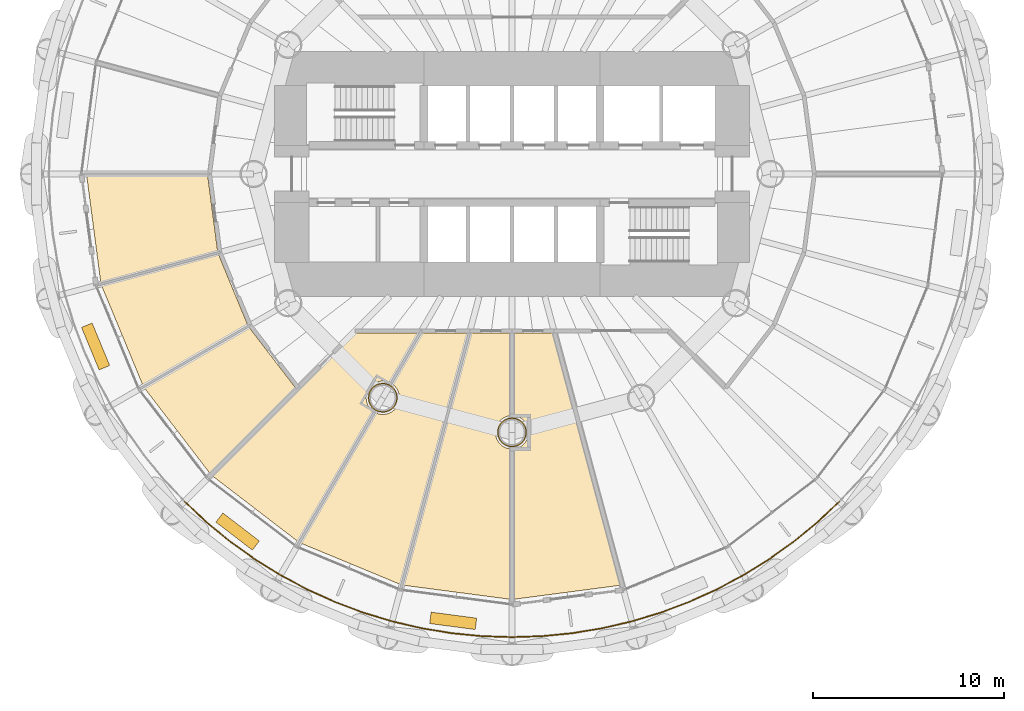
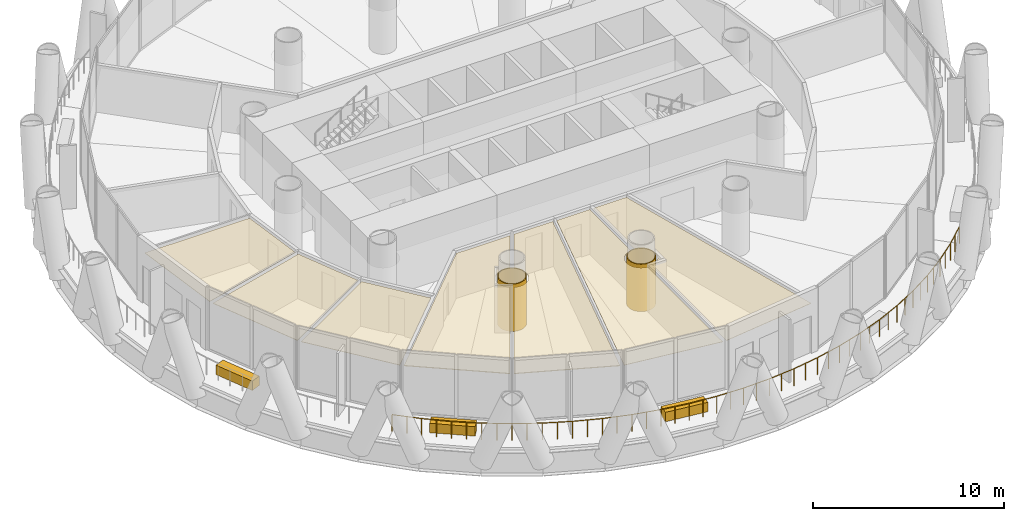
# One storey, part 13 of 16: 12 coverings, 1 railing.
"""IFC4 building model written with IfcOpenShell, lengths in metres."""

from ifc_helpers import new_model, si_unit, direction, frame, origin, origin_2d, place, context, subcontext, project, spatial, polyline, rectangle, circle, outline, extrude, material, layer, layer_set, type_object, element, save


model = new_model("IFC4")

# Units and contexts
model_context = context("Model", 3, precision=1e-05, world=origin(), true_north=direction((0.0, 1.0)))
body_context = subcontext(model_context, "Body", "Model", "MODEL_VIEW")
ifc_project = project(units=[si_unit("LENGTHUNIT", "METRE"), si_unit("AREAUNIT", "SQUARE_METRE"), si_unit("VOLUMEUNIT", "CUBIC_METRE"), si_unit("PLANEANGLEUNIT", "RADIAN"), si_unit("MASSUNIT", "GRAM", prefix="KILO")], contexts=[model_context])

# Site, building, storey
site_placement = place(None, origin())
site = spatial("IfcSite", under=ifc_project, at=site_placement, CompositionType="ELEMENT")
building_placement = place(site_placement, origin())
building = spatial("IfcBuilding", under=site, at=building_placement, Name="Qaws Media Tower", CompositionType="ELEMENT")
storey_placement = place(building_placement, frame((0.0, 0.0, 55.39990234375)))
storey = spatial("IfcBuildingStorey", under=building, at=storey_placement, Name="L11", CompositionType="ELEMENT", Elevation=55.39990234375)

# Coverings
ifc_material_1 = material(Name="40 perforated acoustic panels with mineral wool backing, suspended", Category="mineral fibre")
ifc_layer_1 = layer(ifc_material_1, 0.0400390625)
ifc_layer_set_1 = layer_set([ifc_layer_1], Name="Acoustic panel ceiling 40")
covering_type_1 = type_object("IfcCoveringType", Name="Acoustic panel ceiling 40", PredefinedType="CEILING", material=ifc_layer_set_1)
covering_1_placement = place(storey_placement, frame((0.0, 0.0, 2.85009765625)))
element("IfcCovering", 1, at=covering_1_placement, inside=storey, type_object=covering_type_1, Name="CL3 ceiling L11-08 Editors' meeting room", PredefinedType="CEILING", context=body_context, shape_type="SweptSolid", body=[
    extrude(outline(polyline([(44.3671875, 34.208251953125), (51.8466796875, 41.6875), (55.07080078125, 41.6875), (53.58447265625, 39.11279296875), (53.475341796875, 39.14990234375), (53.36376953125, 39.172119140625), (53.25, 39.1796875), (53.13623046875, 39.172119140625), (53.024658203125, 39.14990234375), (52.916748046875, 39.11328125), (52.814453125, 39.06298828125), (52.7197265625, 38.999755859375), (52.634033203125, 38.924560546875), (52.55908203125, 38.8388671875), (52.49560546875, 38.744140625), (52.4453125, 38.64208984375), (52.40869140625, 38.5341796875), (52.386474609375, 38.42236328125), (52.37890625, 38.30859375), (52.386474609375, 38.195068359375), (52.40869140625, 38.083251953125), (52.4453125, 37.975341796875), (52.49560546875, 37.873291015625), (52.55908203125, 37.7783203125), (52.634033203125, 37.69287109375), (52.720703125, 37.616943359375), (48.79248046875, 30.812744140625), (44.3671875, 34.208251953125)])), origin(), (0.0, 0.0, 1.0), 0.0400390625),
])
covering_2_placement = place(storey_placement, frame((0.0, 0.0, 2.85009765625)))
element("IfcCovering", 2, at=covering_2_placement, inside=storey, type_object=covering_type_1, Name="CL3 ceiling L11-09 Quiet room", PredefinedType="CEILING", context=body_context, shape_type="SweptSolid", body=[
    extrude(outline(polyline([(48.9873046875, 30.7001953125), (52.91552734375, 37.50439453125), (53.024658203125, 37.46728515625), (53.13623046875, 37.445068359375), (53.25, 37.437744140625), (53.36376953125, 37.445068359375), (53.475341796875, 37.46728515625), (53.583251953125, 37.50390625), (53.685546875, 37.55419921875), (53.7802734375, 37.61767578125), (53.865966796875, 37.69287109375), (53.94091796875, 37.7783203125), (54.00439453125, 37.873291015625), (54.0546875, 37.975341796875), (54.09130859375, 38.083251953125), (54.113525390625, 38.195068359375), (54.12109375, 38.30859375), (54.113525390625, 38.42236328125), (54.09130859375, 38.5341796875), (54.0546875, 38.64208984375), (54.00439453125, 38.744140625), (53.94091796875, 38.8388671875), (53.865966796875, 38.924560546875), (53.779296875, 39.000244140625), (55.330810546875, 41.6875), (57.65625, 41.6875), (54.140380859375, 28.56591796875), (48.9873046875, 30.7001953125)])), origin(), (0.0, 0.0, 1.0), 0.0400390625),
])

# Railing
ifc_material_2 = material(Name="Stainless steel and glass guard", Category="steel")
railing_type = type_object("IfcRailingType", Name="Balcony guard 1100", PredefinedType="GUARDRAIL", material=ifc_material_2)
railing_placement = place(storey_placement, frame((42.887939453125, 32.887939453125, 0.0)))
element("IfcRailing", 3, at=railing_placement, inside=storey, type_object=railing_type, Name="GR1 balcony guard L11-3", PredefinedType="GUARDRAIL", context=body_context, shape_type="SweptSolid", body=[
    extrude(circle(Radius=0.02392578125, at=origin_2d()), frame((0.0, 0.0, 1.076171875), z_axis=(0.729926480872, -0.683525663397, 0.0), x_axis=(0.683525663397, 0.729926480872, 0.0)), (0.0, 0.0, 1.0), 1.583740234375),
    extrude(circle(Radius=0.02392578125, at=origin_2d()), frame((1.156005859375, -1.08251953125, 1.076171875), z_axis=(0.773001642284, -0.634404020343, 0.0), x_axis=(0.634404020343, 0.773001642284, 0.0)), (0.0, 0.0, 1.0), 1.58349609375),
    extrude(circle(Radius=0.02392578125, at=origin_2d()), frame((2.380126953125, -2.087158203125, 1.076171875), z_axis=(0.81283659414, -0.582491777819, 0.0), x_axis=(0.582491777819, 0.81283659414, 0.0)), (0.0, 0.0, 1.0), 1.58349609375),
    extrude(circle(Radius=0.02392578125, at=origin_2d()), frame((3.667236328125, -3.009521484375, 1.076171875), z_axis=(0.849208715075, -0.528057343706, 0.0), x_axis=(0.528057343706, 0.849208715075, 0.0)), (0.0, 0.0, 1.0), 1.58349609375),
    extrude(circle(Radius=0.02392578125, at=origin_2d()), frame((5.011962890625, -3.845703125, 1.076171875), z_axis=(0.881917304281, -0.471404145515, 0.0), x_axis=(0.471404145515, 0.881917304281, 0.0)), (0.0, 0.0, 1.0), 1.583740234375),
    extrude(circle(Radius=0.02392578125, at=origin_2d()), frame((6.40869140625, -4.59228515625, 1.076171875), z_axis=(0.910856868467, -0.412722382682, 0.0), x_axis=(0.412722382682, 0.910856868467, 0.0)), (0.0, 0.0, 1.0), 1.58349609375),
    extrude(circle(Radius=0.02392578125, at=origin_2d()), frame((7.85107421875, -5.245849609375, 1.076171875), z_axis=(0.935904026053, -0.35225509793, 0.0), x_axis=(0.35225509793, 0.935904026053, 0.0)), (0.0, 0.0, 1.0), 1.583740234375),
    extrude(circle(Radius=0.02392578125, at=origin_2d()), frame((9.333251953125, -5.8037109375, 1.076171875), z_axis=(0.95693489086, -0.290302625985, 0.0), x_axis=(0.290302625985, 0.95693489086, 0.0)), (0.0, 0.0, 1.0), 1.58349609375),
    extrude(circle(Radius=0.02392578125, at=origin_2d()), frame((10.8486328125, -6.263427734375, 1.076171875), z_axis=(0.973874177295, -0.227088279746, 0.0), x_axis=(0.227088279746, 0.973874177295, 0.0)), (0.0, 0.0, 1.0), 1.58349609375),
    extrude(circle(Radius=0.02392578125, at=origin_2d()), frame((12.390869140625, -6.623046875, 1.076171875), z_axis=(0.986659290868, -0.162798782993, 0.0), x_axis=(0.162798782993, 0.986659290868, 0.0)), (0.0, 0.0, 1.0), 1.583740234375),
    extrude(circle(Radius=0.02392578125, at=origin_2d()), frame((13.953369140625, -6.880859375, 1.076171875), z_axis=(0.995181146918, -0.098053479386, 0.0), x_axis=(0.098053479386, 0.995181146918, 0.0)), (0.0, 0.0, 1.0), 1.58349609375),
    extrude(circle(Radius=0.02392578125, at=origin_2d()), frame((15.529296875, -7.0361328125, 1.076171875), z_axis=(0.999465753674, -0.032683439731, 0.0), x_axis=(0.032683439731, 0.999465753674, 0.0)), (0.0, 0.0, 1.0), 1.58349609375),
    extrude(circle(Radius=0.02392578125, at=origin_2d()), frame((17.112060546875, -7.087890625, 1.076171875), z_axis=(0.999465753674, 0.032683439731, 0.0), x_axis=(-0.032683439731, 0.999465753674, 0.0)), (0.0, 0.0, 1.0), 1.58349609375),
    extrude(circle(Radius=0.02392578125, at=origin_2d()), frame((18.69482421875, -7.0361328125, 1.076171875), z_axis=(0.995181146918, 0.098053479386, 0.0), x_axis=(-0.098053479386, 0.995181146918, 0.0)), (0.0, 0.0, 1.0), 1.58349609375),
    extrude(circle(Radius=0.02392578125, at=origin_2d()), frame((20.270751953125, -6.880859375, 1.076171875), z_axis=(0.986659290868, 0.162798782993, 0.0), x_axis=(-0.162798782993, 0.986659290868, 0.0)), (0.0, 0.0, 1.0), 1.583740234375),
    extrude(circle(Radius=0.02392578125, at=origin_2d()), frame((21.833251953125, -6.623046875, 1.076171875), z_axis=(0.973874177295, 0.227088279746, 0.0), x_axis=(-0.227088279746, 0.973874177295, 0.0)), (0.0, 0.0, 1.0), 1.58349609375),
    extrude(circle(Radius=0.02392578125, at=origin_2d()), frame((23.37548828125, -6.263427734375, 1.076171875), z_axis=(0.95693489086, 0.290302625985, 0.0), x_axis=(-0.290302625985, 0.95693489086, 0.0)), (0.0, 0.0, 1.0), 1.58349609375),
    extrude(circle(Radius=0.02392578125, at=origin_2d()), frame((24.890869140625, -5.8037109375, 1.076171875), z_axis=(0.935904026053, 0.35225509793, 0.0), x_axis=(-0.35225509793, 0.935904026053, 0.0)), (0.0, 0.0, 1.0), 1.583740234375),
    extrude(circle(Radius=0.02392578125, at=origin_2d()), frame((26.373046875, -5.245849609375, 1.076171875), z_axis=(0.910856868467, 0.412722382682, 0.0), x_axis=(-0.412722382682, 0.910856868467, 0.0)), (0.0, 0.0, 1.0), 1.58349609375),
    extrude(circle(Radius=0.02392578125, at=origin_2d()), frame((27.8154296875, -4.59228515625, 1.076171875), z_axis=(0.881917304281, 0.471404145515, 0.0), x_axis=(-0.471404145515, 0.881917304281, 0.0)), (0.0, 0.0, 1.0), 1.583740234375),
    extrude(circle(Radius=0.02392578125, at=origin_2d()), frame((29.212158203125, -3.845703125, 1.076171875), z_axis=(0.849208715075, 0.528057343706, 0.0), x_axis=(-0.528057343706, 0.849208715075, 0.0)), (0.0, 0.0, 1.0), 1.58349609375),
    extrude(circle(Radius=0.02392578125, at=origin_2d()), frame((30.556884765625, -3.009521484375, 1.076171875), z_axis=(0.81283659414, 0.582491777819, 0.0), x_axis=(-0.582491777819, 0.81283659414, 0.0)), (0.0, 0.0, 1.0), 1.58349609375),
    extrude(circle(Radius=0.02392578125, at=origin_2d()), frame((31.843994140625, -2.087158203125, 1.076171875), z_axis=(0.773001642284, 0.634404020343, 0.0), x_axis=(-0.634404020343, 0.773001642284, 0.0)), (0.0, 0.0, 1.0), 1.58349609375),
    extrude(circle(Radius=0.02392578125, at=origin_2d()), frame((33.068115234375, -1.08251953125, 1.076171875), z_axis=(0.729926480872, 0.683525663397, 0.0), x_axis=(-0.683525663397, 0.729926480872, 0.0)), (0.0, 0.0, 1.0), 1.583740234375),
    extrude(circle(Radius=0.02099609375, at=origin_2d()), origin(), (0.0, 0.0, 1.0), 1.052001953125),
    extrude(circle(Radius=0.02099609375, at=origin_2d()), frame((0.578125, -0.541259765625, 0.0)), (0.0, 0.0, 1.0), 1.052001953125),
    extrude(circle(Radius=0.02099609375, at=origin_2d()), frame((1.156005859375, -1.08251953125, 0.0)), (0.0, 0.0, 1.0), 1.052001953125),
    extrude(circle(Radius=0.02099609375, at=origin_2d()), frame((1.76806640625, -1.5849609375, 0.0)), (0.0, 0.0, 1.0), 1.052001953125),
    extrude(circle(Radius=0.02099609375, at=origin_2d()), frame((2.380126953125, -2.087158203125, 0.0)), (0.0, 0.0, 1.0), 1.052001953125),
    extrude(circle(Radius=0.02099609375, at=origin_2d()), frame((3.023681640625, -2.54833984375, 0.0)), (0.0, 0.0, 1.0), 1.052001953125),
    extrude(circle(Radius=0.02099609375, at=origin_2d()), frame((3.667236328125, -3.009521484375, 0.0)), (0.0, 0.0, 1.0), 1.052001953125),
    extrude(circle(Radius=0.02099609375, at=origin_2d()), frame((4.339599609375, -3.427734375, 0.0)), (0.0, 0.0, 1.0), 1.052001953125),
    extrude(circle(Radius=0.02099609375, at=origin_2d()), frame((5.011962890625, -3.845703125, 0.0)), (0.0, 0.0, 1.0), 1.052001953125),
    extrude(circle(Radius=0.02099609375, at=origin_2d()), frame((5.71044921875, -4.218994140625, 0.0)), (0.0, 0.0, 1.0), 1.052001953125),
    extrude(circle(Radius=0.02099609375, at=origin_2d()), frame((6.40869140625, -4.59228515625, 0.0)), (0.0, 0.0, 1.0), 1.052001953125),
    extrude(circle(Radius=0.02099609375, at=origin_2d()), frame((7.1298828125, -4.9189453125, 0.0)), (0.0, 0.0, 1.0), 1.052001953125),
    extrude(circle(Radius=0.02099609375, at=origin_2d()), frame((7.85107421875, -5.245849609375, 0.0)), (0.0, 0.0, 1.0), 1.052001953125),
    extrude(circle(Radius=0.02099609375, at=origin_2d()), frame((8.59228515625, -5.52490234375, 0.0)), (0.0, 0.0, 1.0), 1.052001953125),
    extrude(circle(Radius=0.02099609375, at=origin_2d()), frame((9.333251953125, -5.8037109375, 0.0)), (0.0, 0.0, 1.0), 1.052001953125),
    extrude(circle(Radius=0.02099609375, at=origin_2d()), frame((10.0908203125, -6.03369140625, 0.0)), (0.0, 0.0, 1.0), 1.052001953125),
    extrude(circle(Radius=0.02099609375, at=origin_2d()), frame((10.8486328125, -6.263427734375, 0.0)), (0.0, 0.0, 1.0), 1.052001953125),
    extrude(circle(Radius=0.02099609375, at=origin_2d()), frame((11.61962890625, -6.443359375, 0.0)), (0.0, 0.0, 1.0), 1.052001953125),
    extrude(circle(Radius=0.02099609375, at=origin_2d()), frame((12.390869140625, -6.623046875, 0.0)), (0.0, 0.0, 1.0), 1.052001953125),
    extrude(circle(Radius=0.02099609375, at=origin_2d()), frame((13.172119140625, -6.751953125, 0.0)), (0.0, 0.0, 1.0), 1.052001953125),
    extrude(circle(Radius=0.02099609375, at=origin_2d()), frame((13.953369140625, -6.880859375, 0.0)), (0.0, 0.0, 1.0), 1.052001953125),
    extrude(circle(Radius=0.02099609375, at=origin_2d()), frame((14.7412109375, -6.95849609375, 0.0)), (0.0, 0.0, 1.0), 1.052001953125),
    extrude(circle(Radius=0.02099609375, at=origin_2d()), frame((15.529296875, -7.0361328125, 0.0)), (0.0, 0.0, 1.0), 1.052001953125),
    extrude(circle(Radius=0.02099609375, at=origin_2d()), frame((16.32080078125, -7.06201171875, 0.0)), (0.0, 0.0, 1.0), 1.052001953125),
    extrude(circle(Radius=0.02099609375, at=origin_2d()), frame((17.112060546875, -7.087890625, 0.0)), (0.0, 0.0, 1.0), 1.052001953125),
    extrude(circle(Radius=0.02099609375, at=origin_2d()), frame((17.9033203125, -7.06201171875, 0.0)), (0.0, 0.0, 1.0), 1.052001953125),
    extrude(circle(Radius=0.02099609375, at=origin_2d()), frame((18.69482421875, -7.0361328125, 0.0)), (0.0, 0.0, 1.0), 1.052001953125),
    extrude(circle(Radius=0.02099609375, at=origin_2d()), frame((19.48291015625, -6.95849609375, 0.0)), (0.0, 0.0, 1.0), 1.052001953125),
    extrude(circle(Radius=0.02099609375, at=origin_2d()), frame((20.270751953125, -6.880859375, 0.0)), (0.0, 0.0, 1.0), 1.052001953125),
    extrude(circle(Radius=0.02099609375, at=origin_2d()), frame((21.052001953125, -6.751953125, 0.0)), (0.0, 0.0, 1.0), 1.052001953125),
    extrude(circle(Radius=0.02099609375, at=origin_2d()), frame((21.833251953125, -6.623046875, 0.0)), (0.0, 0.0, 1.0), 1.052001953125),
    extrude(circle(Radius=0.02099609375, at=origin_2d()), frame((22.6044921875, -6.443359375, 0.0)), (0.0, 0.0, 1.0), 1.052001953125),
    extrude(circle(Radius=0.02099609375, at=origin_2d()), frame((23.37548828125, -6.263427734375, 0.0)), (0.0, 0.0, 1.0), 1.052001953125),
    extrude(circle(Radius=0.02099609375, at=origin_2d()), frame((24.13330078125, -6.03369140625, 0.0)), (0.0, 0.0, 1.0), 1.052001953125),
    extrude(circle(Radius=0.02099609375, at=origin_2d()), frame((24.890869140625, -5.8037109375, 0.0)), (0.0, 0.0, 1.0), 1.052001953125),
    extrude(circle(Radius=0.02099609375, at=origin_2d()), frame((25.6318359375, -5.52490234375, 0.0)), (0.0, 0.0, 1.0), 1.052001953125),
    extrude(circle(Radius=0.02099609375, at=origin_2d()), frame((26.373046875, -5.245849609375, 0.0)), (0.0, 0.0, 1.0), 1.052001953125),
    extrude(circle(Radius=0.02099609375, at=origin_2d()), frame((27.09423828125, -4.9189453125, 0.0)), (0.0, 0.0, 1.0), 1.052001953125),
    extrude(circle(Radius=0.02099609375, at=origin_2d()), frame((27.8154296875, -4.59228515625, 0.0)), (0.0, 0.0, 1.0), 1.052001953125),
    extrude(circle(Radius=0.02099609375, at=origin_2d()), frame((28.513671875, -4.218994140625, 0.0)), (0.0, 0.0, 1.0), 1.052001953125),
    extrude(circle(Radius=0.02099609375, at=origin_2d()), frame((29.212158203125, -3.845703125, 0.0)), (0.0, 0.0, 1.0), 1.052001953125),
    extrude(circle(Radius=0.02099609375, at=origin_2d()), frame((29.884521484375, -3.427734375, 0.0)), (0.0, 0.0, 1.0), 1.052001953125),
    extrude(circle(Radius=0.02099609375, at=origin_2d()), frame((30.556884765625, -3.009521484375, 0.0)), (0.0, 0.0, 1.0), 1.052001953125),
    extrude(circle(Radius=0.02099609375, at=origin_2d()), frame((31.200439453125, -2.54833984375, 0.0)), (0.0, 0.0, 1.0), 1.052001953125),
    extrude(circle(Radius=0.02099609375, at=origin_2d()), frame((31.843994140625, -2.087158203125, 0.0)), (0.0, 0.0, 1.0), 1.052001953125),
    extrude(circle(Radius=0.02099609375, at=origin_2d()), frame((32.4560546875, -1.5849609375, 0.0)), (0.0, 0.0, 1.0), 1.052001953125),
    extrude(circle(Radius=0.02099609375, at=origin_2d()), frame((33.068115234375, -1.08251953125, 0.0)), (0.0, 0.0, 1.0), 1.052001953125),
    extrude(circle(Radius=0.02099609375, at=origin_2d()), frame((33.64599609375, -0.541259765625, 0.0)), (0.0, 0.0, 1.0), 1.052001953125),
    extrude(circle(Radius=0.02099609375, at=origin_2d()), frame((34.22412109375, 0.0, 0.0)), (0.0, 0.0, 1.0), 1.052001953125),
])

# Coverings
ifc_material_3 = material(Name="Two layers 15 fire-rated gypsum board on steel framing", Category="steel")
ifc_layer_2 = layer(ifc_material_3, 0.050048828125)
ifc_layer_set_2 = layer_set([ifc_layer_2], Name="Column fire casing")
covering_type_2 = type_object("IfcCoveringType", Name="Column fire casing", PredefinedType="CLADDING", material=ifc_layer_set_2)
covering_3_placement = place(storey_placement, origin())
element("IfcCovering", 4, at=covering_3_placement, inside=storey, type_object=covering_type_2, Name="CC1 column casing L11", PredefinedType="CLADDING", context=body_context, shape_type="SweptSolid", body=[
    extrude(outline(polyline([(54.01611328125, 38.30859375), (54.009521484375, 38.208740234375), (53.989990234375, 38.1103515625), (53.957763671875, 38.015380859375), (53.913330078125, 37.92578125), (53.857666015625, 37.84228515625), (53.79150390625, 37.76708984375), (53.71630859375, 37.700927734375), (53.633056640625, 37.645263671875), (53.543212890625, 37.60107421875), (53.4482421875, 37.56884765625), (53.35009765625, 37.54931640625), (53.25, 37.542724609375), (53.14990234375, 37.54931640625), (53.0517578125, 37.56884765625), (52.956787109375, 37.60107421875), (52.866943359375, 37.645263671875), (52.78369140625, 37.700927734375), (52.70849609375, 37.76708984375), (52.642333984375, 37.84228515625), (52.586669921875, 37.92578125), (52.542236328125, 38.015380859375), (52.510009765625, 38.1103515625), (52.490478515625, 38.208740234375), (52.48388671875, 38.30859375), (52.490478515625, 38.40869140625), (52.510009765625, 38.5068359375), (52.542236328125, 38.601806640625), (52.586669921875, 38.691650390625), (52.642333984375, 38.77490234375), (52.70849609375, 38.850341796875), (52.78369140625, 38.91650390625), (52.866943359375, 38.971923828125), (52.956787109375, 39.016357421875), (53.0517578125, 39.048583984375), (53.14990234375, 39.068115234375), (53.25, 39.07470703125), (53.35009765625, 39.068115234375), (53.4482421875, 39.048583984375), (53.543212890625, 39.016357421875), (53.633056640625, 38.971923828125), (53.71630859375, 38.91650390625), (53.79150390625, 38.850341796875), (53.857666015625, 38.77490234375), (53.913330078125, 38.691650390625), (53.957763671875, 38.601806640625), (53.989990234375, 38.5068359375), (54.009521484375, 38.40869140625), (54.01611328125, 38.30859375)]), holes=[polyline([(53.964111328125, 38.30859375), (53.9580078125, 38.215576171875), (53.939697265625, 38.123779296875), (53.90966796875, 38.035400390625), (53.868408203125, 37.95166015625), (53.81640625, 37.8740234375), (53.7548828125, 37.8037109375), (53.684814453125, 37.7421875), (53.60693359375, 37.690185546875), (53.523193359375, 37.64892578125), (53.434814453125, 37.618896484375), (53.34326171875, 37.600830078125), (53.25, 37.5947265625), (53.15673828125, 37.600830078125), (53.065185546875, 37.618896484375), (52.976806640625, 37.64892578125), (52.89306640625, 37.690185546875), (52.815185546875, 37.7421875), (52.7451171875, 37.8037109375), (52.68359375, 37.8740234375), (52.631591796875, 37.95166015625), (52.59033203125, 38.035400390625), (52.560302734375, 38.123779296875), (52.5419921875, 38.215576171875), (52.535888671875, 38.30859375), (52.5419921875, 38.40185546875), (52.560302734375, 38.493408203125), (52.59033203125, 38.581787109375), (52.631591796875, 38.665771484375), (52.68359375, 38.743408203125), (52.7451171875, 38.8134765625), (52.815185546875, 38.875), (52.89306640625, 38.927001953125), (52.976806640625, 38.96826171875), (53.065185546875, 38.998291015625), (53.15673828125, 39.0166015625), (53.25, 39.022705078125), (53.34326171875, 39.0166015625), (53.434814453125, 38.998291015625), (53.523193359375, 38.96826171875), (53.60693359375, 38.927001953125), (53.684814453125, 38.875), (53.7548828125, 38.8134765625), (53.81640625, 38.743408203125), (53.868408203125, 38.665771484375), (53.90966796875, 38.581787109375), (53.939697265625, 38.493408203125), (53.9580078125, 38.40185546875), (53.964111328125, 38.30859375)])]), origin(), (0.0, 0.0, 1.0), 3.02001953125),
])
covering_4_placement = place(storey_placement, origin())
element("IfcCovering", 5, at=covering_4_placement, inside=storey, type_object=covering_type_2, Name="CC1 column casing L11", PredefinedType="CLADDING", context=body_context, shape_type="SweptSolid", body=[
    extrude(outline(polyline([(60.76611328125, 36.5), (60.759521484375, 36.39990234375), (60.739990234375, 36.3017578125), (60.707763671875, 36.206787109375), (60.663330078125, 36.116943359375), (60.607666015625, 36.03369140625), (60.54150390625, 35.95849609375), (60.46630859375, 35.892333984375), (60.383056640625, 35.836669921875), (60.293212890625, 35.792236328125), (60.1982421875, 35.760009765625), (60.10009765625, 35.740478515625), (60.0, 35.73388671875), (59.89990234375, 35.740478515625), (59.8017578125, 35.760009765625), (59.706787109375, 35.792236328125), (59.616943359375, 35.836669921875), (59.53369140625, 35.892333984375), (59.45849609375, 35.95849609375), (59.392333984375, 36.03369140625), (59.336669921875, 36.116943359375), (59.292236328125, 36.206787109375), (59.260009765625, 36.3017578125), (59.240478515625, 36.39990234375), (59.23388671875, 36.5), (59.240478515625, 36.60009765625), (59.260009765625, 36.6982421875), (59.292236328125, 36.793212890625), (59.336669921875, 36.883056640625), (59.392333984375, 36.96630859375), (59.45849609375, 37.04150390625), (59.53369140625, 37.107666015625), (59.616943359375, 37.163330078125), (59.706787109375, 37.207763671875), (59.8017578125, 37.239990234375), (59.89990234375, 37.259521484375), (60.0, 37.26611328125), (60.10009765625, 37.259521484375), (60.1982421875, 37.239990234375), (60.293212890625, 37.207763671875), (60.383056640625, 37.163330078125), (60.46630859375, 37.107666015625), (60.54150390625, 37.04150390625), (60.607666015625, 36.96630859375), (60.663330078125, 36.883056640625), (60.707763671875, 36.793212890625), (60.739990234375, 36.6982421875), (60.759521484375, 36.60009765625), (60.76611328125, 36.5)]), holes=[polyline([(60.714111328125, 36.5), (60.7080078125, 36.40673828125), (60.689697265625, 36.315185546875), (60.65966796875, 36.226806640625), (60.618408203125, 36.14306640625), (60.56640625, 36.065185546875), (60.5048828125, 35.9951171875), (60.434814453125, 35.93359375), (60.35693359375, 35.881591796875), (60.273193359375, 35.84033203125), (60.184814453125, 35.810302734375), (60.09326171875, 35.7919921875), (60.0, 35.785888671875), (59.90673828125, 35.7919921875), (59.815185546875, 35.810302734375), (59.726806640625, 35.84033203125), (59.64306640625, 35.881591796875), (59.565185546875, 35.93359375), (59.4951171875, 35.9951171875), (59.43359375, 36.065185546875), (59.381591796875, 36.14306640625), (59.34033203125, 36.226806640625), (59.310302734375, 36.315185546875), (59.2919921875, 36.40673828125), (59.285888671875, 36.5), (59.2919921875, 36.59326171875), (59.310302734375, 36.684814453125), (59.34033203125, 36.773193359375), (59.381591796875, 36.85693359375), (59.43359375, 36.934814453125), (59.4951171875, 37.0048828125), (59.565185546875, 37.06640625), (59.64306640625, 37.118408203125), (59.726806640625, 37.15966796875), (59.815185546875, 37.189697265625), (59.90673828125, 37.2080078125), (60.0, 37.214111328125), (60.09326171875, 37.2080078125), (60.184814453125, 37.189697265625), (60.273193359375, 37.15966796875), (60.35693359375, 37.118408203125), (60.434814453125, 37.06640625), (60.5048828125, 37.0048828125), (60.56640625, 36.934814453125), (60.618408203125, 36.85693359375), (60.65966796875, 36.773193359375), (60.689697265625, 36.684814453125), (60.7080078125, 36.59326171875), (60.714111328125, 36.5)])]), origin(), (0.0, 0.0, 1.0), 3.02001953125),
])
ifc_material_4 = material(Name="600 x 600 mineral fibre tiles in exposed grid, suspended", Category="mineral fibre")
ifc_layer_3 = layer(ifc_material_4, 0.02001953125)
ifc_layer_set_3 = layer_set([ifc_layer_3], Name="Mineral fibre tile ceiling 20")
covering_type_3 = type_object("IfcCoveringType", Name="Mineral fibre tile ceiling 20", PredefinedType="CEILING", material=ifc_layer_set_3)
covering_5_placement = place(storey_placement, frame((0.0, 0.0, 2.85009765625)))
element("IfcCovering", 6, at=covering_5_placement, inside=storey, type_object=covering_type_3, Name="CL1 ceiling L11-10 Gents toilets", PredefinedType="CEILING", context=body_context, shape_type="SweptSolid", body=[
    extrude(outline(polyline([(54.357666015625, 28.507568359375), (57.88916015625, 41.6875), (59.887451171875, 41.6875), (59.887451171875, 37.363525390625), (59.774658203125, 37.34130859375), (59.666748046875, 37.3046875), (59.564453125, 37.25439453125), (59.4697265625, 37.19091796875), (59.384033203125, 37.115966796875), (59.30908203125, 37.0302734375), (59.24560546875, 36.935546875), (59.1953125, 36.833251953125), (59.15869140625, 36.725341796875), (59.136474609375, 36.61376953125), (59.12890625, 36.5), (59.136474609375, 36.38623046875), (59.15869140625, 36.274658203125), (59.1953125, 36.166748046875), (59.24560546875, 36.064453125), (59.30908203125, 35.9697265625), (59.384033203125, 35.884033203125), (59.4697265625, 35.80908203125), (59.564453125, 35.74560546875), (59.666748046875, 35.6953125), (59.774658203125, 35.65869140625), (59.887451171875, 35.636474609375), (59.887451171875, 27.779541015625), (54.357666015625, 28.507568359375)])), origin(), (0.0, 0.0, 1.0), 0.02001953125),
])
covering_6_placement = place(storey_placement, frame((0.0, 0.0, 2.85009765625)))
element("IfcCovering", 7, at=covering_6_placement, inside=storey, type_object=covering_type_3, Name="CL1 ceiling L11-11 Ladies toilets", PredefinedType="CEILING", context=body_context, shape_type="SweptSolid", body=[
    extrude(outline(polyline([(60.112548828125, 27.779541015625), (60.112548828125, 35.636474609375), (60.225341796875, 35.65869140625), (60.333251953125, 35.6953125), (60.435546875, 35.74560546875), (60.5302734375, 35.80908203125), (60.615966796875, 35.884033203125), (60.69091796875, 35.9697265625), (60.75439453125, 36.064453125), (60.8046875, 36.166748046875), (60.84130859375, 36.274658203125), (60.863525390625, 36.38623046875), (60.87109375, 36.5), (60.863525390625, 36.61376953125), (60.84130859375, 36.725341796875), (60.8046875, 36.833251953125), (60.75439453125, 36.935546875), (60.69091796875, 37.0302734375), (60.615966796875, 37.115966796875), (60.5302734375, 37.19091796875), (60.435546875, 37.25439453125), (60.333251953125, 37.3046875), (60.225341796875, 37.34130859375), (60.112548828125, 37.363525390625), (60.112548828125, 41.6875), (62.11083984375, 41.6875), (65.642333984375, 28.507568359375), (60.112548828125, 27.779541015625)])), origin(), (0.0, 0.0, 1.0), 0.02001953125),
])
ifc_material_5 = material(Name="Precast concrete planter with trailing planting", Category="concrete")
ifc_layer_4 = layer(ifc_material_5, 0.60009765625)
ifc_layer_set_4 = layer_set([ifc_layer_4], Name="Planter 2400x600")
covering_type_4 = type_object("IfcCoveringType", Name="Planter 2400x600", PredefinedType="USERDEFINED", material=ifc_layer_set_4)
for number, where, z_axis, x_axis, name in (
    (8, (38.24267578125, 40.98779296875, 0.0), (0.0, 0.0, 1.0), (0.382683432365, -0.923879532511, 0.0), "PL1 balcony planter L11-07"),
    (9, (45.66357421875, 31.316650390625, 0.0), (0.0, 0.0, 1.0), (0.793353340291, -0.608761429009, 0.0), "PL1 balcony planter L11-08"),
    (10, (56.926025390625, 26.6513671875, 0.0), (0.0, 0.0, 1.0), (0.991444861374, -0.13052619222, 0.0), "PL1 balcony planter L11-09"),
):
    element("IfcCovering", number, at=place(storey_placement, frame(where, z_axis=z_axis, x_axis=x_axis)), inside=storey, type_object=covering_type_4, Name=name, ObjectType="PLANTER", PredefinedType="USERDEFINED", context=body_context, shape_type="SweptSolid", body=[
        extrude(rectangle(XDim=2.39990234375, YDim=0.60009765625, at=origin_2d()), origin(), (0.0, 0.0, 1.0), 0.60009765625),
    ])
ifc_material_6 = material(Name="Two layers 12.5 moisture-resistant plasterboard on suspended metal furring", Category="gypsum")
ifc_layer_5 = layer(ifc_material_6, 0.02490234375)
ifc_layer_set_5 = layer_set([ifc_layer_5], Name="Plasterboard ceiling 25")
covering_type_5 = type_object("IfcCoveringType", Name="Plasterboard ceiling 25", PredefinedType="CEILING", material=ifc_layer_set_5)
covering_7_placement = place(storey_placement, frame((0.0, 0.0, 2.85009765625)))
element("IfcCovering", 11, at=covering_7_placement, inside=storey, type_object=covering_type_5, Name="CL2 ceiling L11-05 Editor's office", PredefinedType="CEILING", context=body_context, shape_type="SweptSolid", body=[
    extrude(outline(polyline([(37.779541015625, 49.887451171875), (44.101318359375, 49.887451171875), (44.614013671875, 45.993896484375), (38.507568359375, 44.357666015625), (37.779541015625, 49.887451171875)])), origin(), (0.0, 0.0, 1.0), 0.02490234375),
])
covering_8_placement = place(storey_placement, frame((0.0, 0.0, 2.85009765625)))
element("IfcCovering", 12, at=covering_8_placement, inside=storey, type_object=covering_type_5, Name="CL2 ceiling L11-06 Editor's office", PredefinedType="CEILING", context=body_context, shape_type="SweptSolid", body=[
    extrude(outline(polyline([(38.56591796875, 44.140380859375), (44.672119140625, 45.776611328125), (46.175048828125, 42.148193359375), (40.7001953125, 38.9873046875), (38.56591796875, 44.140380859375)])), origin(), (0.0, 0.0, 1.0), 0.02490234375),
])
covering_9_placement = place(storey_placement, frame((0.0, 0.0, 2.85009765625)))
element("IfcCovering", 13, at=covering_9_placement, inside=storey, type_object=covering_type_5, Name="CL2 ceiling L11-07 Editor's office", PredefinedType="CEILING", context=body_context, shape_type="SweptSolid", body=[
    extrude(outline(polyline([(40.812744140625, 38.79248046875), (46.28759765625, 41.953125), (48.678466796875, 38.83740234375), (44.208251953125, 34.3671875), (40.812744140625, 38.79248046875)])), origin(), (0.0, 0.0, 1.0), 0.02490234375),
])

save(model, "model.ifc")
